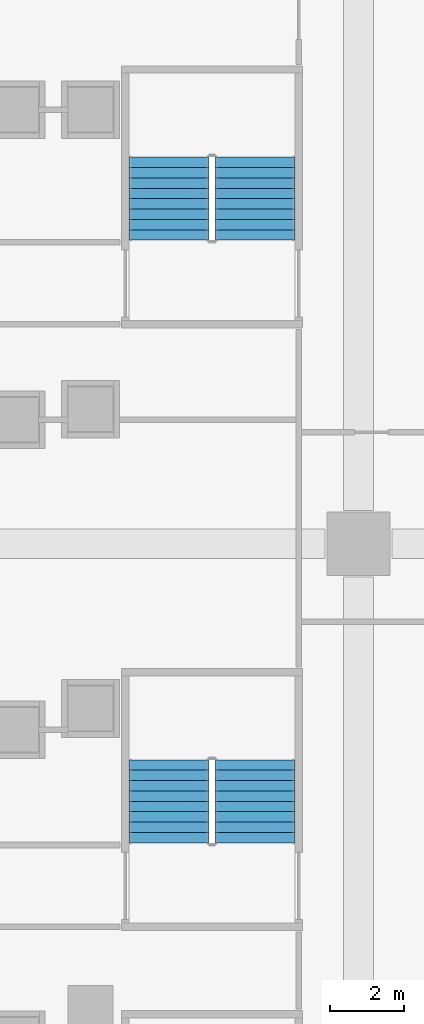
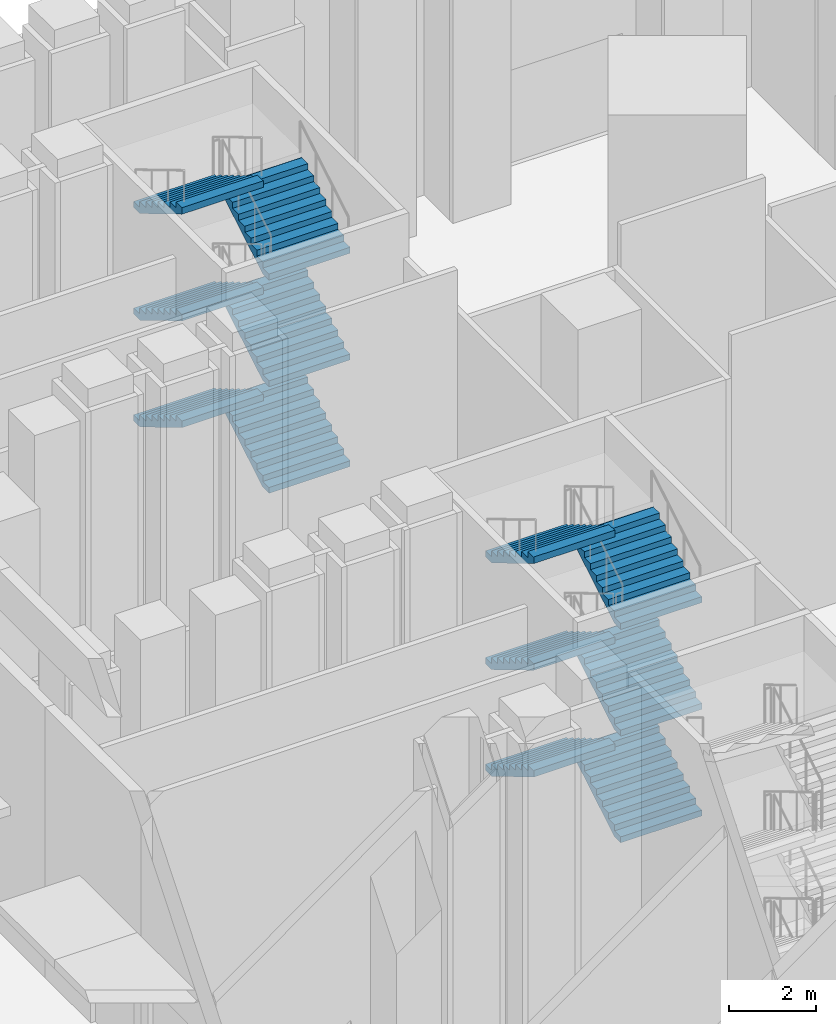
# One storey, part 32 of 51: 12 stair flights, 2 elements without a shape of their own.
"""IFC4 building model written with IfcOpenShell, lengths in metres."""

from ifc_helpers import new_model, si_unit, direction, frame, origin, place, context, subcontext, project, spatial, faceted_brep, source, transform, mapped, material, type_object, element, aggregate, save


model = new_model("IFC4")

# Units and contexts
model_context = context("Model", 3, precision=1e-05, world=origin(), true_north=direction((0.0, 1.0)))
body_context = subcontext(model_context, "Body", "Model", "MODEL_VIEW")
ifc_project = project(units=[si_unit("LENGTHUNIT", "METRE"), si_unit("AREAUNIT", "SQUARE_METRE"), si_unit("VOLUMEUNIT", "CUBIC_METRE"), si_unit("PLANEANGLEUNIT", "RADIAN"), si_unit("MASSUNIT", "GRAM", prefix="KILO")], contexts=[model_context])

# Site, building, storey
site_placement = place(None, origin())
site = spatial("IfcSite", under=ifc_project, at=site_placement, CompositionType="ELEMENT")
building_placement = place(site_placement, origin())
building = spatial("IfcBuilding", under=site, at=building_placement, Name="Calabash Gate Tower", CompositionType="ELEMENT")
storey_placement = place(building_placement, origin())
storey = spatial("IfcBuildingStorey", under=building, at=storey_placement, Name="L00", CompositionType="ELEMENT", Elevation=0.0)

# Stair, stair flights
ifc_material_1 = material(Name="Concrete C40/50", Category="concrete")
stair_type = type_object("IfcStairType", Name="Public stair 54 risers of 166.7 mm", PredefinedType="HALF_TURN_STAIR", material=ifc_material_1)
stair_1_placement = place(storey_placement, origin())
stair_1 = element("IfcStair", 1, at=stair_1_placement, inside=storey, type_object=stair_type, Name="L00 Public Stair PS4", PredefinedType="HALF_TURN_STAIR")
ifc_material_2 = material(Name="Concrete C40/50", Category="concrete")
stair_flight_type = type_object("IfcStairFlightType", Name="Exit stair flight SFL", PredefinedType="STRAIGHT", material=ifc_material_2)
shared_shape = source(origin(), body_context, "Body", "Brep", [
    faceted_brep([(-0.0009765625, -1.080078125, 0.0), (0.292236328125, -1.080078125, 0.0), (2.23291015625, -1.080078125, 1.15869140625), (-0.0009765625, 1.080078125, 0.0), (2.23291015625, 1.080078125, 1.15869140625), (0.292236328125, 1.080078125, 0.0), (2.23291015625, -1.080078125, 1.34521484375), (2.23193359375, -1.080078125, 1.34521484375), (2.23193359375, 1.080078125, 1.34521484375), (2.23291015625, 1.080078125, 1.34521484375), (2.23193359375, -1.080078125, 1.333251953125), (2.23193359375, 1.080078125, 1.333251953125), (1.952880859375, -1.080078125, 1.333251953125), (1.952880859375, 1.080078125, 1.333251953125), (1.952880859375, -1.080078125, 1.166748046875), (1.952880859375, 1.080078125, 1.166748046875), (1.674072265625, -1.080078125, 1.166748046875), (1.674072265625, 1.080078125, 1.166748046875), (1.674072265625, -1.080078125, 1.0), (1.674072265625, 1.080078125, 1.0), (1.39501953125, -1.080078125, 1.0), (1.39501953125, -1.080078125, 0.833251953125), (1.39501953125, 1.080078125, 0.833251953125), (1.39501953125, 1.080078125, 1.0), (1.115966796875, -1.080078125, 0.833251953125), (1.115966796875, -1.080078125, 0.666748046875), (1.115966796875, 1.080078125, 0.666748046875), (1.115966796875, 1.080078125, 0.833251953125), (0.8369140625, -1.080078125, 0.666748046875), (0.8369140625, -1.080078125, 0.5), (0.8369140625, 1.080078125, 0.5), (0.8369140625, 1.080078125, 0.666748046875), (0.55810546875, -1.080078125, 0.5), (0.55810546875, -1.080078125, 0.333251953125), (0.55810546875, 1.080078125, 0.333251953125), (0.55810546875, 1.080078125, 0.5), (0.279052734375, -1.080078125, 0.333251953125), (0.279052734375, -1.080078125, 0.166748046875), (0.279052734375, 1.080078125, 0.166748046875), (0.279052734375, 1.080078125, 0.333251953125), (-0.0009765625, -1.080078125, 0.166748046875), (-0.0009765625, 1.080078125, 0.166748046875), (0.292236328125, -0.431884765625, 0.0), (2.23291015625, -0.431884765625, 1.15869140625), (0.292236328125, -0.345703125, 0.0), (2.23291015625, -0.345703125, 1.15869140625), (0.292236328125, -0.25927734375, 0.0), (2.23291015625, -0.25927734375, 1.15869140625), (0.292236328125, -0.1728515625, 0.0), (2.23291015625, -0.1728515625, 1.15869140625), (0.292236328125, -0.08642578125, 0.0), (2.23291015625, -0.08642578125, 1.15869140625), (0.292236328125, 0.0, 0.0), (2.23291015625, 0.0, 1.15869140625), (0.292236328125, 0.08642578125, 0.0), (2.23291015625, 0.08642578125, 1.15869140625), (0.292236328125, 0.1728515625, 0.0), (2.23291015625, 0.1728515625, 1.15869140625), (0.292236328125, 0.25927734375, 0.0), (2.23291015625, 0.25927734375, 1.15869140625), (0.292236328125, 0.345703125, 0.0), (2.23291015625, 0.345703125, 1.15869140625), (0.292236328125, 0.431884765625, 0.0), (2.23291015625, 0.431884765625, 1.15869140625), (2.23291015625, -0.431884765625, 1.34521484375), (2.23291015625, -0.345703125, 1.34521484375), (2.23291015625, -0.25927734375, 1.34521484375), (2.23291015625, -0.1728515625, 1.34521484375), (2.23291015625, -0.08642578125, 1.34521484375), (2.23291015625, 0.0, 1.34521484375), (2.23291015625, 0.08642578125, 1.34521484375), (2.23291015625, 0.1728515625, 1.34521484375), (2.23291015625, 0.25927734375, 1.34521484375), (2.23291015625, 0.345703125, 1.34521484375), (2.23291015625, 0.431884765625, 1.34521484375), (2.23193359375, -0.431884765625, 1.34521484375), (2.23193359375, -0.345703125, 1.34521484375), (2.23193359375, -0.25927734375, 1.34521484375), (2.23193359375, -0.1728515625, 1.34521484375), (2.23193359375, -0.08642578125, 1.34521484375), (2.23193359375, 0.0, 1.34521484375), (2.23193359375, 0.08642578125, 1.34521484375), (2.23193359375, 0.1728515625, 1.34521484375), (2.23193359375, 0.25927734375, 1.34521484375), (2.23193359375, 0.345703125, 1.34521484375), (2.23193359375, 0.431884765625, 1.34521484375), (2.23193359375, -0.431884765625, 1.333251953125), (2.23193359375, -0.345703125, 1.333251953125), (2.23193359375, -0.25927734375, 1.333251953125), (2.23193359375, -0.1728515625, 1.333251953125), (2.23193359375, -0.08642578125, 1.333251953125), (2.23193359375, 0.0, 1.333251953125), (2.23193359375, 0.08642578125, 1.333251953125), (2.23193359375, 0.1728515625, 1.333251953125), (2.23193359375, 0.25927734375, 1.333251953125), (2.23193359375, 0.345703125, 1.333251953125), (2.23193359375, 0.431884765625, 1.333251953125), (1.952880859375, -0.431884765625, 1.333251953125), (1.952880859375, -0.345703125, 1.333251953125), (1.952880859375, -0.25927734375, 1.333251953125), (1.952880859375, -0.1728515625, 1.333251953125), (1.952880859375, -0.08642578125, 1.333251953125), (1.952880859375, 0.0, 1.333251953125), (1.952880859375, 0.08642578125, 1.333251953125), (1.952880859375, 0.1728515625, 1.333251953125), (1.952880859375, 0.25927734375, 1.333251953125), (1.952880859375, 0.345703125, 1.333251953125), (1.952880859375, 0.431884765625, 1.333251953125), (1.952880859375, -0.431884765625, 1.166748046875), (1.952880859375, -0.345703125, 1.166748046875), (1.952880859375, -0.25927734375, 1.166748046875), (1.952880859375, -0.1728515625, 1.166748046875), (1.952880859375, -0.08642578125, 1.166748046875), (1.952880859375, 0.0, 1.166748046875), (1.952880859375, 0.08642578125, 1.166748046875), (1.952880859375, 0.1728515625, 1.166748046875), (1.952880859375, 0.25927734375, 1.166748046875), (1.952880859375, 0.345703125, 1.166748046875), (1.952880859375, 0.431884765625, 1.166748046875), (1.674072265625, -0.431884765625, 1.166748046875), (1.674072265625, -0.345703125, 1.166748046875), (1.674072265625, -0.25927734375, 1.166748046875), (1.674072265625, -0.1728515625, 1.166748046875), (1.674072265625, -0.08642578125, 1.166748046875), (1.674072265625, 0.0, 1.166748046875), (1.674072265625, 0.08642578125, 1.166748046875), (1.674072265625, 0.1728515625, 1.166748046875), (1.674072265625, 0.25927734375, 1.166748046875), (1.674072265625, 0.345703125, 1.166748046875), (1.674072265625, 0.431884765625, 1.166748046875), (1.674072265625, -0.431884765625, 1.0), (1.674072265625, -0.345703125, 1.0), (1.674072265625, -0.25927734375, 1.0), (1.674072265625, -0.1728515625, 1.0), (1.674072265625, -0.08642578125, 1.0), (1.674072265625, 0.0, 1.0), (1.674072265625, 0.08642578125, 1.0), (1.674072265625, 0.1728515625, 1.0), (1.674072265625, 0.25927734375, 1.0), (1.674072265625, 0.345703125, 1.0), (1.674072265625, 0.431884765625, 1.0), (1.39501953125, -0.431884765625, 1.0), (1.39501953125, -0.345703125, 1.0), (1.39501953125, -0.25927734375, 1.0), (1.39501953125, -0.1728515625, 1.0), (1.39501953125, -0.08642578125, 1.0), (1.39501953125, 0.0, 1.0), (1.39501953125, 0.08642578125, 1.0), (1.39501953125, 0.1728515625, 1.0), (1.39501953125, 0.25927734375, 1.0), (1.39501953125, 0.345703125, 1.0), (1.39501953125, 0.431884765625, 1.0), (1.39501953125, -0.431884765625, 0.833251953125), (1.39501953125, -0.345703125, 0.833251953125), (1.39501953125, -0.25927734375, 0.833251953125), (1.39501953125, -0.1728515625, 0.833251953125), (1.39501953125, -0.08642578125, 0.833251953125), (1.39501953125, 0.0, 0.833251953125), (1.39501953125, 0.08642578125, 0.833251953125), (1.39501953125, 0.1728515625, 0.833251953125), (1.39501953125, 0.25927734375, 0.833251953125), (1.39501953125, 0.345703125, 0.833251953125), (1.39501953125, 0.431884765625, 0.833251953125), (1.115966796875, -0.431884765625, 0.833251953125), (1.115966796875, -0.345703125, 0.833251953125), (1.115966796875, -0.25927734375, 0.833251953125), (1.115966796875, -0.1728515625, 0.833251953125), (1.115966796875, -0.08642578125, 0.833251953125), (1.115966796875, 0.0, 0.833251953125), (1.115966796875, 0.08642578125, 0.833251953125), (1.115966796875, 0.1728515625, 0.833251953125), (1.115966796875, 0.25927734375, 0.833251953125), (1.115966796875, 0.345703125, 0.833251953125), (1.115966796875, 0.431884765625, 0.833251953125), (1.115966796875, -0.431884765625, 0.666748046875), (1.115966796875, -0.345703125, 0.666748046875), (1.115966796875, -0.25927734375, 0.666748046875), (1.115966796875, -0.1728515625, 0.666748046875), (1.115966796875, -0.08642578125, 0.666748046875), (1.115966796875, 0.0, 0.666748046875), (1.115966796875, 0.08642578125, 0.666748046875), (1.115966796875, 0.1728515625, 0.666748046875), (1.115966796875, 0.25927734375, 0.666748046875), (1.115966796875, 0.345703125, 0.666748046875), (1.115966796875, 0.431884765625, 0.666748046875), (0.8369140625, -0.431884765625, 0.666748046875), (0.8369140625, -0.345703125, 0.666748046875), (0.8369140625, -0.25927734375, 0.666748046875), (0.8369140625, -0.1728515625, 0.666748046875), (0.8369140625, -0.08642578125, 0.666748046875), (0.8369140625, 0.0, 0.666748046875), (0.8369140625, 0.08642578125, 0.666748046875), (0.8369140625, 0.1728515625, 0.666748046875), (0.8369140625, 0.25927734375, 0.666748046875), (0.8369140625, 0.345703125, 0.666748046875), (0.8369140625, 0.431884765625, 0.666748046875), (0.8369140625, -0.431884765625, 0.5), (0.8369140625, -0.345703125, 0.5), (0.8369140625, -0.25927734375, 0.5), (0.8369140625, -0.1728515625, 0.5), (0.8369140625, -0.08642578125, 0.5), (0.8369140625, 0.0, 0.5), (0.8369140625, 0.08642578125, 0.5), (0.8369140625, 0.1728515625, 0.5), (0.8369140625, 0.25927734375, 0.5), (0.8369140625, 0.345703125, 0.5), (0.8369140625, 0.431884765625, 0.5), (0.55810546875, -0.431884765625, 0.5), (0.55810546875, -0.345703125, 0.5), (0.55810546875, -0.25927734375, 0.5), (0.55810546875, -0.1728515625, 0.5), (0.55810546875, -0.08642578125, 0.5), (0.55810546875, 0.0, 0.5), (0.55810546875, 0.08642578125, 0.5), (0.55810546875, 0.1728515625, 0.5), (0.55810546875, 0.25927734375, 0.5), (0.55810546875, 0.345703125, 0.5), (0.55810546875, 0.431884765625, 0.5), (0.55810546875, -0.431884765625, 0.333251953125), (0.55810546875, -0.345703125, 0.333251953125), (0.55810546875, -0.25927734375, 0.333251953125), (0.55810546875, -0.1728515625, 0.333251953125), (0.55810546875, -0.08642578125, 0.333251953125), (0.55810546875, 0.0, 0.333251953125), (0.55810546875, 0.08642578125, 0.333251953125), (0.55810546875, 0.1728515625, 0.333251953125), (0.55810546875, 0.25927734375, 0.333251953125), (0.55810546875, 0.345703125, 0.333251953125), (0.55810546875, 0.431884765625, 0.333251953125), (0.279052734375, -0.431884765625, 0.333251953125), (0.279052734375, -0.345703125, 0.333251953125), (0.279052734375, -0.25927734375, 0.333251953125), (0.279052734375, -0.1728515625, 0.333251953125), (0.279052734375, -0.08642578125, 0.333251953125), (0.279052734375, 0.0, 0.333251953125), (0.279052734375, 0.08642578125, 0.333251953125), (0.279052734375, 0.1728515625, 0.333251953125), (0.279052734375, 0.25927734375, 0.333251953125), (0.279052734375, 0.345703125, 0.333251953125), (0.279052734375, 0.431884765625, 0.333251953125), (0.279052734375, -0.431884765625, 0.166748046875), (0.279052734375, -0.345703125, 0.166748046875), (0.279052734375, -0.25927734375, 0.166748046875), (0.279052734375, -0.1728515625, 0.166748046875), (0.279052734375, -0.08642578125, 0.166748046875), (0.279052734375, 0.0, 0.166748046875), (0.279052734375, 0.08642578125, 0.166748046875), (0.279052734375, 0.1728515625, 0.166748046875), (0.279052734375, 0.25927734375, 0.166748046875), (0.279052734375, 0.345703125, 0.166748046875), (0.279052734375, 0.431884765625, 0.166748046875), (-0.0009765625, -0.431884765625, 0.166748046875), (-0.0009765625, -0.345703125, 0.166748046875), (-0.0009765625, -0.25927734375, 0.166748046875), (-0.0009765625, -0.1728515625, 0.166748046875), (-0.0009765625, -0.08642578125, 0.166748046875), (-0.0009765625, 0.0, 0.166748046875), (-0.0009765625, 0.08642578125, 0.166748046875), (-0.0009765625, 0.1728515625, 0.166748046875), (-0.0009765625, 0.25927734375, 0.166748046875), (-0.0009765625, 0.345703125, 0.166748046875), (-0.0009765625, 0.431884765625, 0.166748046875), (-0.0009765625, -0.431884765625, 0.0), (-0.0009765625, -0.345703125, 0.0), (-0.0009765625, -0.25927734375, 0.0), (-0.0009765625, -0.1728515625, 0.0), (-0.0009765625, -0.08642578125, 0.0), (-0.0009765625, 0.0, 0.0), (-0.0009765625, 0.08642578125, 0.0), (-0.0009765625, 0.1728515625, 0.0), (-0.0009765625, 0.25927734375, 0.0), (-0.0009765625, 0.345703125, 0.0), (-0.0009765625, 0.431884765625, 0.0)], [[[0, 1, 2]], [[3, 4, 5]], [[2, 6, 7]], [[4, 8, 9]], [[2, 7, 10]], [[4, 11, 8]], [[2, 10, 12]], [[4, 13, 11]], [[2, 12, 14]], [[4, 15, 13]], [[2, 14, 16]], [[4, 17, 15]], [[2, 16, 18]], [[4, 19, 17]], [[18, 20, 21]], [[19, 22, 23]], [[2, 18, 21]], [[4, 22, 19]], [[21, 24, 25]], [[22, 26, 27]], [[2, 21, 25]], [[4, 26, 22]], [[25, 28, 29]], [[26, 30, 31]], [[2, 25, 29]], [[4, 30, 26]], [[29, 32, 33]], [[30, 34, 35]], [[2, 29, 33]], [[4, 34, 30]], [[33, 36, 37]], [[34, 38, 39]], [[2, 33, 37]], [[4, 38, 34]], [[0, 2, 37]], [[3, 38, 4]], [[37, 40, 0]], [[38, 3, 41]], [[1, 42, 2]], [[42, 43, 2]], [[42, 44, 43]], [[44, 45, 43]], [[44, 46, 45]], [[46, 47, 45]], [[46, 48, 47]], [[48, 49, 47]], [[48, 50, 49]], [[50, 51, 49]], [[50, 52, 51]], [[52, 53, 51]], [[52, 54, 55]], [[52, 55, 53]], [[54, 56, 57]], [[54, 57, 55]], [[56, 58, 59]], [[56, 59, 57]], [[58, 60, 61]], [[58, 61, 59]], [[60, 62, 63]], [[60, 63, 61]], [[62, 5, 4]], [[62, 4, 63]], [[2, 43, 6]], [[43, 64, 6]], [[43, 45, 64]], [[45, 65, 64]], [[45, 47, 65]], [[47, 66, 65]], [[47, 49, 66]], [[49, 67, 66]], [[49, 51, 67]], [[51, 68, 67]], [[51, 53, 68]], [[53, 69, 68]], [[53, 55, 70]], [[53, 70, 69]], [[55, 57, 71]], [[55, 71, 70]], [[57, 59, 72]], [[57, 72, 71]], [[59, 61, 73]], [[59, 73, 72]], [[61, 63, 74]], [[61, 74, 73]], [[63, 4, 9]], [[63, 9, 74]], [[6, 64, 7]], [[64, 75, 7]], [[64, 65, 75]], [[65, 76, 75]], [[65, 66, 76]], [[66, 77, 76]], [[66, 67, 77]], [[67, 78, 77]], [[67, 68, 78]], [[68, 79, 78]], [[68, 69, 79]], [[69, 80, 79]], [[69, 70, 81]], [[69, 81, 80]], [[70, 71, 82]], [[70, 82, 81]], [[71, 72, 83]], [[71, 83, 82]], [[72, 73, 84]], [[72, 84, 83]], [[73, 74, 85]], [[73, 85, 84]], [[74, 9, 8]], [[74, 8, 85]], [[7, 75, 10]], [[75, 86, 10]], [[75, 76, 86]], [[76, 87, 86]], [[76, 77, 87]], [[77, 88, 87]], [[77, 78, 88]], [[78, 89, 88]], [[78, 79, 89]], [[79, 90, 89]], [[79, 80, 90]], [[80, 91, 90]], [[80, 81, 92]], [[80, 92, 91]], [[81, 82, 93]], [[81, 93, 92]], [[82, 83, 94]], [[82, 94, 93]], [[83, 84, 95]], [[83, 95, 94]], [[84, 85, 96]], [[84, 96, 95]], [[85, 8, 11]], [[85, 11, 96]], [[10, 86, 12]], [[86, 97, 12]], [[86, 87, 97]], [[87, 98, 97]], [[87, 88, 98]], [[88, 99, 98]], [[88, 89, 99]], [[89, 100, 99]], [[89, 90, 100]], [[90, 101, 100]], [[90, 91, 101]], [[91, 102, 101]], [[91, 92, 103]], [[91, 103, 102]], [[92, 93, 104]], [[92, 104, 103]], [[93, 94, 105]], [[93, 105, 104]], [[94, 95, 106]], [[94, 106, 105]], [[95, 96, 107]], [[95, 107, 106]], [[96, 11, 13]], [[96, 13, 107]], [[12, 97, 14]], [[97, 108, 14]], [[97, 98, 108]], [[98, 109, 108]], [[98, 99, 109]], [[99, 110, 109]], [[99, 100, 110]], [[100, 111, 110]], [[100, 101, 111]], [[101, 112, 111]], [[101, 102, 112]], [[102, 113, 112]], [[102, 103, 114]], [[102, 114, 113]], [[103, 104, 115]], [[103, 115, 114]], [[104, 105, 116]], [[104, 116, 115]], [[105, 106, 117]], [[105, 117, 116]], [[106, 107, 118]], [[106, 118, 117]], [[107, 13, 15]], [[107, 15, 118]], [[14, 108, 16]], [[108, 119, 16]], [[108, 109, 119]], [[109, 120, 119]], [[109, 110, 120]], [[110, 121, 120]], [[110, 111, 121]], [[111, 122, 121]], [[111, 112, 122]], [[112, 123, 122]], [[112, 113, 123]], [[113, 124, 123]], [[113, 114, 125]], [[113, 125, 124]], [[114, 115, 126]], [[114, 126, 125]], [[115, 116, 127]], [[115, 127, 126]], [[116, 117, 128]], [[116, 128, 127]], [[117, 118, 129]], [[117, 129, 128]], [[118, 15, 17]], [[118, 17, 129]], [[16, 119, 18]], [[119, 130, 18]], [[119, 120, 130]], [[120, 131, 130]], [[120, 121, 131]], [[121, 132, 131]], [[121, 122, 132]], [[122, 133, 132]], [[122, 123, 133]], [[123, 134, 133]], [[123, 124, 134]], [[124, 135, 134]], [[124, 125, 136]], [[124, 136, 135]], [[125, 126, 137]], [[125, 137, 136]], [[126, 127, 138]], [[126, 138, 137]], [[127, 128, 139]], [[127, 139, 138]], [[128, 129, 140]], [[128, 140, 139]], [[129, 17, 19]], [[129, 19, 140]], [[18, 130, 20]], [[130, 141, 20]], [[130, 131, 141]], [[131, 142, 141]], [[131, 132, 142]], [[132, 143, 142]], [[132, 133, 143]], [[133, 144, 143]], [[133, 134, 144]], [[134, 145, 144]], [[134, 135, 145]], [[135, 146, 145]], [[135, 136, 147]], [[135, 147, 146]], [[136, 137, 148]], [[136, 148, 147]], [[137, 138, 149]], [[137, 149, 148]], [[138, 139, 150]], [[138, 150, 149]], [[139, 140, 151]], [[139, 151, 150]], [[140, 19, 23]], [[140, 23, 151]], [[20, 141, 21]], [[141, 152, 21]], [[141, 142, 152]], [[142, 153, 152]], [[142, 143, 153]], [[143, 154, 153]], [[143, 144, 154]], [[144, 155, 154]], [[144, 145, 155]], [[145, 156, 155]], [[145, 146, 156]], [[146, 157, 156]], [[146, 147, 158]], [[146, 158, 157]], [[147, 148, 159]], [[147, 159, 158]], [[148, 149, 160]], [[148, 160, 159]], [[149, 150, 161]], [[149, 161, 160]], [[150, 151, 162]], [[150, 162, 161]], [[151, 23, 22]], [[151, 22, 162]], [[21, 152, 24]], [[152, 163, 24]], [[152, 153, 163]], [[153, 164, 163]], [[153, 154, 164]], [[154, 165, 164]], [[154, 155, 165]], [[155, 166, 165]], [[155, 156, 166]], [[156, 167, 166]], [[156, 157, 167]], [[157, 168, 167]], [[157, 158, 169]], [[157, 169, 168]], [[158, 159, 170]], [[158, 170, 169]], [[159, 160, 171]], [[159, 171, 170]], [[160, 161, 172]], [[160, 172, 171]], [[161, 162, 173]], [[161, 173, 172]], [[162, 22, 27]], [[162, 27, 173]], [[24, 163, 25]], [[163, 174, 25]], [[163, 164, 174]], [[164, 175, 174]], [[164, 165, 175]], [[165, 176, 175]], [[165, 166, 176]], [[166, 177, 176]], [[166, 167, 177]], [[167, 178, 177]], [[167, 168, 178]], [[168, 179, 178]], [[168, 169, 180]], [[168, 180, 179]], [[169, 170, 181]], [[169, 181, 180]], [[170, 171, 182]], [[170, 182, 181]], [[171, 172, 183]], [[171, 183, 182]], [[172, 173, 184]], [[172, 184, 183]], [[173, 27, 26]], [[173, 26, 184]], [[25, 174, 28]], [[174, 185, 28]], [[174, 175, 185]], [[175, 186, 185]], [[175, 176, 186]], [[176, 187, 186]], [[176, 177, 187]], [[177, 188, 187]], [[177, 178, 188]], [[178, 189, 188]], [[178, 179, 189]], [[179, 190, 189]], [[179, 180, 191]], [[179, 191, 190]], [[180, 181, 192]], [[180, 192, 191]], [[181, 182, 193]], [[181, 193, 192]], [[182, 183, 194]], [[182, 194, 193]], [[183, 184, 195]], [[183, 195, 194]], [[184, 26, 31]], [[184, 31, 195]], [[28, 185, 29]], [[185, 196, 29]], [[185, 186, 196]], [[186, 197, 196]], [[186, 187, 197]], [[187, 198, 197]], [[187, 188, 198]], [[188, 199, 198]], [[188, 189, 199]], [[189, 200, 199]], [[189, 190, 200]], [[190, 201, 200]], [[190, 191, 202]], [[190, 202, 201]], [[191, 192, 203]], [[191, 203, 202]], [[192, 193, 204]], [[192, 204, 203]], [[193, 194, 205]], [[193, 205, 204]], [[194, 195, 206]], [[194, 206, 205]], [[195, 31, 30]], [[195, 30, 206]], [[29, 196, 32]], [[196, 207, 32]], [[196, 197, 207]], [[197, 208, 207]], [[197, 198, 208]], [[198, 209, 208]], [[198, 199, 209]], [[199, 210, 209]], [[199, 200, 210]], [[200, 211, 210]], [[200, 201, 211]], [[201, 212, 211]], [[201, 202, 213]], [[201, 213, 212]], [[202, 203, 214]], [[202, 214, 213]], [[203, 204, 215]], [[203, 215, 214]], [[204, 205, 216]], [[204, 216, 215]], [[205, 206, 217]], [[205, 217, 216]], [[206, 30, 35]], [[206, 35, 217]], [[32, 207, 33]], [[207, 218, 33]], [[207, 208, 218]], [[208, 219, 218]], [[208, 209, 219]], [[209, 220, 219]], [[209, 210, 220]], [[210, 221, 220]], [[210, 211, 221]], [[211, 222, 221]], [[211, 212, 222]], [[212, 223, 222]], [[212, 213, 224]], [[212, 224, 223]], [[213, 214, 225]], [[213, 225, 224]], [[214, 215, 226]], [[214, 226, 225]], [[215, 216, 227]], [[215, 227, 226]], [[216, 217, 228]], [[216, 228, 227]], [[217, 35, 34]], [[217, 34, 228]], [[33, 218, 36]], [[218, 229, 36]], [[218, 219, 229]], [[219, 230, 229]], [[219, 220, 230]], [[220, 231, 230]], [[220, 221, 231]], [[221, 232, 231]], [[221, 222, 232]], [[222, 233, 232]], [[222, 223, 233]], [[223, 234, 233]], [[223, 224, 235]], [[223, 235, 234]], [[224, 225, 236]], [[224, 236, 235]], [[225, 226, 237]], [[225, 237, 236]], [[226, 227, 238]], [[226, 238, 237]], [[227, 228, 239]], [[227, 239, 238]], [[228, 34, 39]], [[228, 39, 239]], [[36, 229, 37]], [[229, 240, 37]], [[229, 230, 240]], [[230, 241, 240]], [[230, 231, 241]], [[231, 242, 241]], [[231, 232, 242]], [[232, 243, 242]], [[232, 233, 243]], [[233, 244, 243]], [[233, 234, 244]], [[234, 245, 244]], [[234, 235, 246]], [[234, 246, 245]], [[235, 236, 247]], [[235, 247, 246]], [[236, 237, 248]], [[236, 248, 247]], [[237, 238, 249]], [[237, 249, 248]], [[238, 239, 250]], [[238, 250, 249]], [[239, 39, 38]], [[239, 38, 250]], [[37, 240, 40]], [[240, 251, 40]], [[240, 241, 251]], [[241, 252, 251]], [[241, 242, 252]], [[242, 253, 252]], [[242, 243, 253]], [[243, 254, 253]], [[243, 244, 254]], [[244, 255, 254]], [[244, 245, 255]], [[245, 256, 255]], [[245, 246, 257]], [[245, 257, 256]], [[246, 247, 258]], [[246, 258, 257]], [[247, 248, 259]], [[247, 259, 258]], [[248, 249, 260]], [[248, 260, 259]], [[249, 250, 261]], [[249, 261, 260]], [[250, 38, 41]], [[250, 41, 261]], [[40, 251, 0]], [[251, 262, 0]], [[251, 252, 262]], [[252, 263, 262]], [[252, 253, 263]], [[253, 264, 263]], [[253, 254, 264]], [[254, 265, 264]], [[254, 255, 265]], [[255, 266, 265]], [[255, 256, 266]], [[256, 267, 266]], [[256, 257, 268]], [[256, 268, 267]], [[257, 258, 269]], [[257, 269, 268]], [[258, 259, 270]], [[258, 270, 269]], [[259, 260, 271]], [[259, 271, 270]], [[260, 261, 272]], [[260, 272, 271]], [[261, 41, 3]], [[261, 3, 272]], [[0, 262, 1]], [[262, 42, 1]], [[262, 263, 42]], [[263, 44, 42]], [[263, 264, 44]], [[264, 46, 44]], [[264, 265, 46]], [[265, 48, 46]], [[265, 266, 48]], [[266, 50, 48]], [[266, 267, 50]], [[267, 52, 50]], [[267, 268, 54]], [[267, 54, 52]], [[268, 269, 56]], [[268, 56, 54]], [[269, 270, 58]], [[269, 58, 56]], [[270, 271, 60]], [[270, 60, 58]], [[271, 272, 62]], [[271, 62, 60]], [[272, 3, 5]], [[272, 5, 62]]]),
])
stair_flight_1_placement = place(storey_placement, frame((-34.780029296875, -0.0400390625, 0.0), z_axis=(0.0, 0.0, 1.0), x_axis=(0.0, 1.0, 0.0)))
stair_flight_1 = element("IfcStairFlight", 2, at=stair_flight_1_placement, type_object=stair_flight_type, Name="PS4 flight 1", NumberOfRisers=9, NumberOfTreads=8, PredefinedType="STRAIGHT", RiserHeight=0.166666667, TreadLength=0.279, context=body_context, shape_type="MappedRepresentation", body=[
    mapped(shared_shape, transform((0.0, 0.0, 0.0), scale=1.0)),
])
stair_flight_2_placement = place(storey_placement, frame((-37.090087890625, 2.19189453125, 1.5), z_axis=(0.0, 0.0, 1.0), x_axis=(0.0, -1.0, 0.0)))
stair_flight_2 = element("IfcStairFlight", 3, at=stair_flight_2_placement, type_object=stair_flight_type, Name="PS4 flight 2", NumberOfRisers=9, NumberOfTreads=8, PredefinedType="STRAIGHT", RiserHeight=0.166666667, TreadLength=0.279, context=body_context, shape_type="MappedRepresentation", body=[
    mapped(shared_shape, transform((0.0, 0.0, 0.0), scale=1.0)),
])
stair_flight_3_placement = place(storey_placement, frame((-34.780029296875, -0.0400390625, 3.0), z_axis=(0.0, 0.0, 1.0), x_axis=(0.0, 1.0, 0.0)))
stair_flight_3 = element("IfcStairFlight", 4, at=stair_flight_3_placement, type_object=stair_flight_type, Name="PS4 flight 3", NumberOfRisers=9, NumberOfTreads=8, PredefinedType="STRAIGHT", RiserHeight=0.166666667, TreadLength=0.279, context=body_context, shape_type="MappedRepresentation", body=[
    mapped(shared_shape, transform((0.0, 0.0, 0.0), scale=1.0)),
])
stair_flight_4_placement = place(storey_placement, frame((-37.090087890625, 2.19189453125, 4.5), z_axis=(0.0, 0.0, 1.0), x_axis=(0.0, -1.0, 0.0)))
stair_flight_4 = element("IfcStairFlight", 5, at=stair_flight_4_placement, type_object=stair_flight_type, Name="PS4 flight 4", NumberOfRisers=9, NumberOfTreads=8, PredefinedType="STRAIGHT", RiserHeight=0.166666667, TreadLength=0.279, context=body_context, shape_type="MappedRepresentation", body=[
    mapped(shared_shape, transform((0.0, 0.0, 0.0), scale=1.0)),
])
stair_flight_5_placement = place(storey_placement, frame((-34.780029296875, -0.0400390625, 6.0), z_axis=(0.0, 0.0, 1.0), x_axis=(0.0, 1.0, 0.0)))
stair_flight_5 = element("IfcStairFlight", 6, at=stair_flight_5_placement, type_object=stair_flight_type, Name="PS4 flight 5", NumberOfRisers=9, NumberOfTreads=8, PredefinedType="STRAIGHT", RiserHeight=0.166666667, TreadLength=0.279, context=body_context, shape_type="MappedRepresentation", body=[
    mapped(shared_shape, transform((0.0, 0.0, 0.0), scale=1.0)),
])
stair_flight_6_placement = place(storey_placement, frame((-37.090087890625, 2.19189453125, 7.5), z_axis=(0.0, 0.0, 1.0), x_axis=(0.0, -1.0, 0.0)))
stair_flight_6 = element("IfcStairFlight", 7, at=stair_flight_6_placement, type_object=stair_flight_type, Name="PS4 flight 6", NumberOfRisers=9, NumberOfTreads=8, PredefinedType="STRAIGHT", RiserHeight=0.166666667, TreadLength=0.279, context=body_context, shape_type="MappedRepresentation", body=[
    mapped(shared_shape, transform((0.0, 0.0, 0.0), scale=1.0)),
])
aggregate(stair_1, [stair_flight_1, stair_flight_2, stair_flight_3, stair_flight_4, stair_flight_5, stair_flight_6])

stair_2_placement = place(storey_placement, origin())
stair_2 = element("IfcStair", 8, at=stair_2_placement, inside=storey, type_object=stair_type, Name="L00 Public Stair PS5", PredefinedType="HALF_TURN_STAIR")
stair_flight_7_placement = place(storey_placement, frame((-34.780029296875, 16.159912109375, 0.0), z_axis=(0.0, 0.0, 1.0), x_axis=(0.0, 1.0, 0.0)))
stair_flight_7 = element("IfcStairFlight", 9, at=stair_flight_7_placement, type_object=stair_flight_type, Name="PS5 flight 1", NumberOfRisers=9, NumberOfTreads=8, PredefinedType="STRAIGHT", RiserHeight=0.166666667, TreadLength=0.279, context=body_context, shape_type="MappedRepresentation", body=[
    mapped(shared_shape, transform((0.0, 0.0, 0.0), scale=1.0)),
])
stair_flight_8_placement = place(storey_placement, frame((-37.090087890625, 18.39208984375, 1.5), z_axis=(0.0, 0.0, 1.0), x_axis=(0.0, -1.0, 0.0)))
stair_flight_8 = element("IfcStairFlight", 10, at=stair_flight_8_placement, type_object=stair_flight_type, Name="PS5 flight 2", NumberOfRisers=9, NumberOfTreads=8, PredefinedType="STRAIGHT", RiserHeight=0.166666667, TreadLength=0.279, context=body_context, shape_type="MappedRepresentation", body=[
    mapped(shared_shape, transform((0.0, 0.0, 0.0), scale=1.0)),
])
stair_flight_9_placement = place(storey_placement, frame((-34.780029296875, 16.159912109375, 3.0), z_axis=(0.0, 0.0, 1.0), x_axis=(0.0, 1.0, 0.0)))
stair_flight_9 = element("IfcStairFlight", 11, at=stair_flight_9_placement, type_object=stair_flight_type, Name="PS5 flight 3", NumberOfRisers=9, NumberOfTreads=8, PredefinedType="STRAIGHT", RiserHeight=0.166666667, TreadLength=0.279, context=body_context, shape_type="MappedRepresentation", body=[
    mapped(shared_shape, transform((0.0, 0.0, 0.0), scale=1.0)),
])
stair_flight_10_placement = place(storey_placement, frame((-37.090087890625, 18.39208984375, 4.5), z_axis=(0.0, 0.0, 1.0), x_axis=(0.0, -1.0, 0.0)))
stair_flight_10 = element("IfcStairFlight", 12, at=stair_flight_10_placement, type_object=stair_flight_type, Name="PS5 flight 4", NumberOfRisers=9, NumberOfTreads=8, PredefinedType="STRAIGHT", RiserHeight=0.166666667, TreadLength=0.279, context=body_context, shape_type="MappedRepresentation", body=[
    mapped(shared_shape, transform((0.0, 0.0, 0.0), scale=1.0)),
])
stair_flight_11_placement = place(storey_placement, frame((-34.780029296875, 16.159912109375, 6.0), z_axis=(0.0, 0.0, 1.0), x_axis=(0.0, 1.0, 0.0)))
stair_flight_11 = element("IfcStairFlight", 13, at=stair_flight_11_placement, type_object=stair_flight_type, Name="PS5 flight 5", NumberOfRisers=9, NumberOfTreads=8, PredefinedType="STRAIGHT", RiserHeight=0.166666667, TreadLength=0.279, context=body_context, shape_type="MappedRepresentation", body=[
    mapped(shared_shape, transform((0.0, 0.0, 0.0), scale=1.0)),
])
stair_flight_12_placement = place(storey_placement, frame((-37.090087890625, 18.39208984375, 7.5), z_axis=(0.0, 0.0, 1.0), x_axis=(0.0, -1.0, 0.0)))
stair_flight_12 = element("IfcStairFlight", 14, at=stair_flight_12_placement, type_object=stair_flight_type, Name="PS5 flight 6", NumberOfRisers=9, NumberOfTreads=8, PredefinedType="STRAIGHT", RiserHeight=0.166666667, TreadLength=0.279, context=body_context, shape_type="MappedRepresentation", body=[
    mapped(shared_shape, transform((0.0, 0.0, 0.0), scale=1.0)),
])
aggregate(stair_2, [stair_flight_7, stair_flight_8, stair_flight_9, stair_flight_10, stair_flight_11, stair_flight_12])

save(model, "model.ifc")
